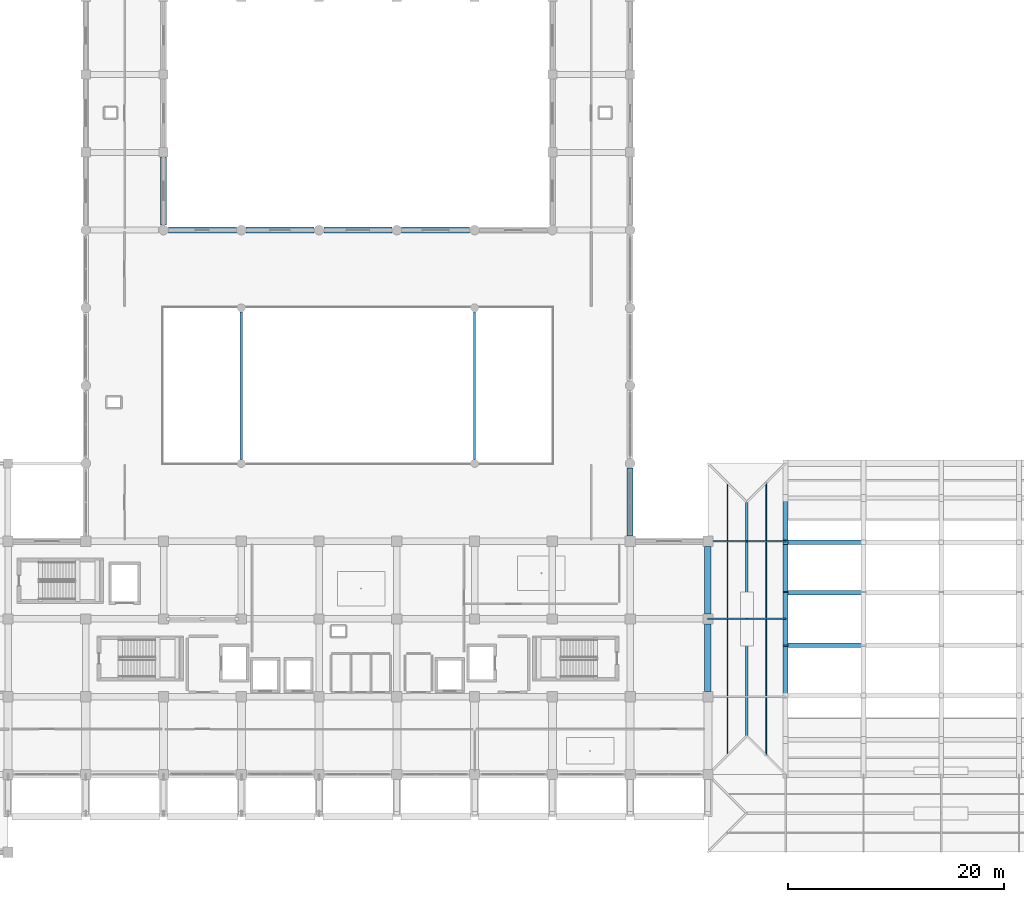
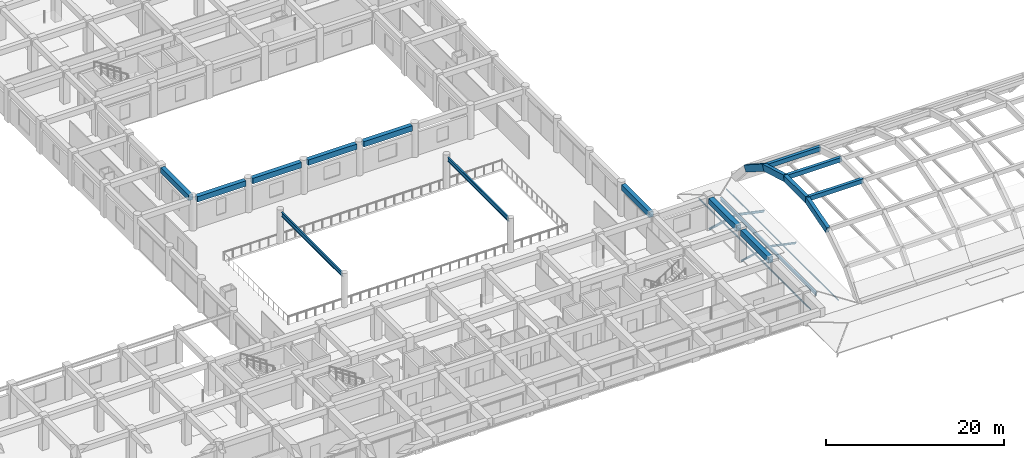
# One storey, part 21 of 54: 18 beams, 6 members.
"""IFC4 building model written with IfcOpenShell, lengths in metres."""

from ifc_helpers import new_model, si_unit, direction, frame, origin, origin_2d, place, context, subcontext, project, spatial, rectangle, hollow_circle, i_section, extrude, material, material_profile, profile_set, type_object, element, save


model = new_model("IFC4")

# Units and contexts
model_context = context("Model", 3, precision=1e-05, world=origin(), true_north=direction((0.0, 1.0)))
body_context = subcontext(model_context, "Body", "Model", "MODEL_VIEW")
ifc_project = project(units=[si_unit("LENGTHUNIT", "METRE"), si_unit("AREAUNIT", "SQUARE_METRE"), si_unit("VOLUMEUNIT", "CUBIC_METRE"), si_unit("PLANEANGLEUNIT", "RADIAN"), si_unit("MASSUNIT", "GRAM", prefix="KILO")], contexts=[model_context])

# Site, building, storey
site_placement = place(None, origin())
site = spatial("IfcSite", under=ifc_project, at=site_placement, CompositionType="ELEMENT")
building_placement = place(site_placement, origin())
building = spatial("IfcBuilding", under=site, at=building_placement, Name="Kazehaya Institute of Natural Sciences", CompositionType="ELEMENT")
storey_placement = place(building_placement, frame((0.0, 0.0, 10.43994140625)))
storey = spatial("IfcBuildingStorey", under=building, at=storey_placement, Name="L02", CompositionType="ELEMENT", Elevation=10.43994140625)

# Beams
ifc_material_1 = material(Name="Concrete Fc36", Category="concrete")
ifc_material_profile_1 = material_profile(ifc_material_1, rectangle(XDim=0.449951171875, YDim=0.85009765625, at=origin_2d()), Name="RC-450x850")
ifc_profile_set_1 = profile_set([ifc_material_profile_1], Name="Concrete Fc36")
beam_type_1 = type_object("IfcBeamType", Name="BM-AR-450x850", PredefinedType="BEAM", material=ifc_profile_set_1)
beam_1_placement = place(storey_placement, frame((126.60009765625, 21.30322265625, 5.837158203125), z_axis=(0.0, 0.960039368494, 0.279864986986), x_axis=(-1.0, 0.0, 0.0)))
element("IfcBeam", 1, at=beam_1_placement, inside=storey, type_object=beam_type_1, Name="SH-VOL1 transverse arch rib SH-VOL1-RIB-126-05", PredefinedType="BEAM", context=body_context, shape_type="SweptSolid", body=[
    extrude(rectangle(XDim=0.449951171875, YDim=0.85009765625, at=origin_2d()), origin(), (0.0, 0.0, 1.0), 4.86083984375),
])
for number, where, z_axis, x_axis, name in (
    (2, (126.60009765625, 25.9697265625, 7.197509765625), (0.0, 1.0, 0.0), (-1.0, 0.0, 0.0), "SH-VOL1 transverse arch rib SH-VOL1-RIB-126-07"),
    (3, (126.60009765625, 30.830322265625, 7.197509765625), (0.0, 0.960035434208, -0.279878482677), (-1.0, 0.0, 0.0), "SH-VOL1 transverse arch rib SH-VOL1-RIB-126-09"),
):
    element("IfcBeam", number, at=place(storey_placement, frame(where, z_axis=z_axis, x_axis=x_axis)), inside=storey, type_object=beam_type_1, Name=name, PredefinedType="BEAM", context=body_context, shape_type="SweptSolid", body=[
        extrude(rectangle(XDim=0.449951171875, YDim=0.85009765625, at=origin_2d()), origin(), (0.0, 0.0, 1.0), 4.860595703125),
    ])
beam_2_placement = place(storey_placement, frame((126.60009765625, 35.49658203125, 5.837158203125), z_axis=(0.0, 0.843309718495, -0.537427873014), x_axis=(-1.0, 0.0, 0.0)))
element("IfcBeam", 4, at=beam_2_placement, inside=storey, type_object=beam_type_1, Name="SH-VOL1 transverse arch rib SH-VOL1-RIB-126-11", PredefinedType="BEAM", context=body_context, shape_type="SweptSolid", body=[
    extrude(rectangle(XDim=0.449951171875, YDim=0.85009765625, at=origin_2d()), origin(), (0.0, 0.0, 1.0), 4.86083984375),
])
ifc_material_profile_2 = material_profile(ifc_material_1, rectangle(XDim=0.39990234375, YDim=0.60009765625, at=origin_2d()), Name="RC-400x600")
ifc_profile_set_2 = profile_set([ifc_material_profile_2], Name="Concrete Fc36")
beam_type_2 = type_object("IfcBeamType", Name="BM-B-400x600", PredefinedType="BEAM", material=ifc_profile_set_2)
for number, where, z_axis, x_axis, name in (
    (5, (126.60009765625, 25.9697265625, 7.3173828125), (1.0, 0.0, 0.0), (0.0, 1.0, 0.0), "SH-VOL1 longitudinal shell rib 6"),
    (6, (126.60009765625, 30.830322265625, 7.3173828125), (1.0, 0.0, 0.0), (0.0, 1.0, 0.0), "SH-VOL1 longitudinal shell rib 8"),
    (7, (126.60009765625, 35.49658203125, 5.95703125), (1.0, 0.0, 0.0), (0.0, 1.0, 0.0), "SH-VOL1 longitudinal shell rib 10"),
):
    element("IfcBeam", number, at=place(storey_placement, frame(where, z_axis=z_axis, x_axis=x_axis)), inside=storey, type_object=beam_type_2, Name=name, PredefinedType="BEAM", context=body_context, shape_type="SweptSolid", body=[
        extrude(rectangle(XDim=0.39990234375, YDim=0.60009765625, at=origin_2d()), origin(), (0.0, 0.0, 1.0), 7.199951171875),
    ])
ifc_material_profile_3 = material_profile(ifc_material_1, rectangle(XDim=0.550048828125, YDim=0.75, at=origin_2d()), Name="RC-550x750")
ifc_profile_set_3 = profile_set([ifc_material_profile_3], Name="Concrete Fc36")
beam_type_3 = type_object("IfcBeamType", Name="BM-G-550x750", PredefinedType="BEAM", material=ifc_profile_set_3)
for number, where, z_axis, x_axis, name in (
    (8, (69.449951171875, 64.39990234375, 4.03515625), (1.0, 0.0, 0.0), (0.0, 1.0, 0.0), "L02 primary X girder BMX-L02-690-644"),
    (9, (76.64990234375, 64.39990234375, 4.03515625), (1.0, 0.0, 0.0), (0.0, 1.0, 0.0), "L02 primary X girder BMX-L02-762-644"),
):
    element("IfcBeam", number, at=place(storey_placement, frame(where, z_axis=z_axis, x_axis=x_axis)), inside=storey, type_object=beam_type_3, Name=name, PredefinedType="BEAM", context=body_context, shape_type="SweptSolid", body=[
        extrude(rectangle(XDim=0.550048828125, YDim=0.75, at=origin_2d()), origin(), (0.0, 0.0, 1.0), 6.300048828125),
    ])
beam_3_placement = place(storey_placement, frame((83.85009765625, 64.39990234375, 4.03515625), z_axis=(1.0, 0.0, 0.0), x_axis=(0.0, 1.0, 0.0)))
element("IfcBeam", 10, at=beam_3_placement, inside=storey, type_object=beam_type_3, Name="L02 primary X girder BMX-L02-834-644", PredefinedType="BEAM", context=body_context, shape_type="SweptSolid", body=[
    extrude(rectangle(XDim=0.550048828125, YDim=0.75, at=origin_2d()), origin(), (0.0, 0.0, 1.0), 6.2998046875),
])
beam_4_placement = place(storey_placement, frame((91.050048828125, 64.39990234375, 4.03515625), z_axis=(1.0, 0.0, 0.0), x_axis=(0.0, 1.0, 0.0)))
element("IfcBeam", 11, at=beam_4_placement, inside=storey, type_object=beam_type_3, Name="L02 primary X girder BMX-L02-906-644", PredefinedType="BEAM", context=body_context, shape_type="SweptSolid", body=[
    extrude(rectangle(XDim=0.550048828125, YDim=0.75, at=origin_2d()), origin(), (0.0, 0.0, 1.0), 6.300048828125),
])
beam_5_placement = place(storey_placement, frame((69.0, 64.85009765625, 4.03515625), z_axis=(0.0, 1.0, 0.0), x_axis=(-1.0, 0.0, 0.0)))
element("IfcBeam", 12, at=beam_5_placement, inside=storey, type_object=beam_type_3, Name="L02 primary Y girder BMY-L02-690-644", PredefinedType="BEAM", context=body_context, shape_type="SweptSolid", body=[
    extrude(rectangle(XDim=0.550048828125, YDim=0.75, at=origin_2d()), origin(), (0.0, 0.0, 1.0), 6.324951171875),
])
beam_6_placement = place(storey_placement, frame((112.199951171875, 36.074951171875, 4.03515625), z_axis=(0.0, 1.0, 0.0), x_axis=(-1.0, 0.0, 0.0)))
element("IfcBeam", 13, at=beam_6_placement, inside=storey, type_object=beam_type_3, Name="L02 primary Y girder BMY-L02-1122-356", PredefinedType="BEAM", context=body_context, shape_type="SweptSolid", body=[
    extrude(rectangle(XDim=0.550048828125, YDim=0.75, at=origin_2d()), origin(), (0.0, 0.0, 1.0), 6.275146484375),
])
ifc_material_profile_4 = material_profile(ifc_material_1, rectangle(XDim=0.60009765625, YDim=0.800048828125, at=origin_2d()), Name="RC-600x800")
ifc_profile_set_4 = profile_set([ifc_material_profile_4], Name="Concrete Fc36")
beam_type_4 = type_object("IfcBeamType", Name="BM-G-600x800", PredefinedType="BEAM", material=ifc_profile_set_4)
for number, where, z_axis, x_axis, name in (
    (14, (119.39990234375, 21.675048828125, 4.010009765625), (0.0, 1.0, 0.0), (-1.0, 0.0, 0.0), "L02 primary Y girder BMY-L02-1194-212"),
    (15, (119.39990234375, 28.875, 4.010009765625), (0.0, 1.0, 0.0), (-1.0, 0.0, 0.0), "L02 primary Y girder BMY-L02-1194-284"),
):
    element("IfcBeam", number, at=place(storey_placement, frame(where, z_axis=z_axis, x_axis=x_axis)), inside=storey, type_object=beam_type_4, Name=name, PredefinedType="BEAM", context=body_context, shape_type="SweptSolid", body=[
        extrude(rectangle(XDim=0.60009765625, YDim=0.800048828125, at=origin_2d()), origin(), (0.0, 0.0, 1.0), 6.25),
    ])
ifc_material_2 = material(Name="Structural steel SN490B", Category="steel")
ifc_material_profile_5 = material_profile(ifc_material_2, i_section(OverallWidth=0.199951171875, OverallDepth=0.449951171875, WebThickness=0.009033203125, FlangeThickness=0.013916015625, FilletRadius=0.01611328125, at=origin_2d()), Name="H-450x200x9x14")
ifc_profile_set_5 = profile_set([ifc_material_profile_5], Name="Structural steel SN490B")
beam_type_5 = type_object("IfcBeamType", Name="BM-STL-H450", PredefinedType="BEAM", material=ifc_profile_set_5)
beam_7_placement = place(storey_placement, frame((123.0, 17.60009765625, 0.51806640625), z_axis=(0.0, 1.0, 0.0), x_axis=(-1.0, 0.0, 0.0)))
element("IfcBeam", 16, at=beam_7_placement, inside=storey, type_object=beam_type_5, Name="ROOF-VOL1-LINK steel ridge girder", PredefinedType="BEAM", context=body_context, shape_type="SweptSolid", body=[
    extrude(i_section(OverallWidth=0.199951171875, OverallDepth=0.449951171875, WebThickness=0.009033203125, FlangeThickness=0.013916015625, FilletRadius=0.01611328125, at=origin_2d()), origin(), (0.0, 0.0, 1.0), 21.599853515625),
])
ifc_material_profile_6 = material_profile(ifc_material_2, i_section(OverallWidth=0.199951171875, OverallDepth=0.60009765625, WebThickness=0.010986328125, FlangeThickness=0.01708984375, FilletRadius=0.01806640625, at=origin_2d()), Name="H-600x200x11x17")
ifc_profile_set_6 = profile_set([ifc_material_profile_6], Name="Structural steel SN490B")
beam_type_6 = type_object("IfcBeamType", Name="BM-STL-H600", PredefinedType="BEAM", material=ifc_profile_set_6)
for number, where, z_axis, x_axis, name in (
    (17, (76.199951171875, 43.175048828125, 4.110107421875), (0.0, 1.0, 0.0), (-1.0, 0.0, 0.0), "L03 atrium gallery walkway girder 1283"),
    (18, (97.800048828125, 43.175048828125, 4.110107421875), (0.0, 1.0, 0.0), (-1.0, 0.0, 0.0), "L03 atrium gallery walkway girder 1284"),
):
    element("IfcBeam", number, at=place(storey_placement, frame(where, z_axis=z_axis, x_axis=x_axis)), inside=storey, type_object=beam_type_6, Name=name, PredefinedType="BEAM", context=body_context, shape_type="SweptSolid", body=[
        extrude(i_section(OverallWidth=0.199951171875, OverallDepth=0.60009765625, WebThickness=0.010986328125, FlangeThickness=0.01708984375, FilletRadius=0.01806640625, at=origin_2d()), origin(), (0.0, 0.0, 1.0), 13.64990234375),
    ])

# Members
ifc_material_profile_7 = material_profile(ifc_material_2, hollow_circle(Radius=0.08251953125, WallThickness=0.006103515625, at=origin_2d()), Name="CHS-165.2x6.0")
ifc_profile_set_7 = profile_set([ifc_material_profile_7], Name="Structural steel SN490B")
member_type_1 = type_object("IfcMemberType", Name="MEM-PUR-CHS165", PredefinedType="PURLIN", material=ifc_profile_set_7)
member_1_placement = place(storey_placement, frame((124.800048828125, 15.800048828125, 0.129150390625), z_axis=(0.0, 1.0, 0.0), x_axis=(-1.0, 0.0, 0.0)))
element("IfcMember", 19, at=member_1_placement, inside=storey, type_object=member_type_1, Name="ROOF-VOL1-LINK roof purlin 6", PredefinedType="PURLIN", context=body_context, shape_type="SweptSolid", body=[
    extrude(hollow_circle(Radius=0.08251953125, WallThickness=0.006103515625, at=origin_2d()), origin(), (0.0, 0.0, 1.0), 25.199951171875),
])
ifc_material_profile_8 = material_profile(ifc_material_2, i_section(OverallWidth=0.10009765625, OverallDepth=0.199951171875, WebThickness=0.005615234375, FlangeThickness=0.008056640625, FilletRadius=0.008056640625, at=origin_2d()), Name="H-200x100x5.5x8")
ifc_profile_set_8 = profile_set([ifc_material_profile_8], Name="Structural steel SN490B")
member_type_2 = type_object("IfcMemberType", Name="MEM-PUR-H200", PredefinedType="PURLIN", material=ifc_profile_set_8)
member_2_placement = place(storey_placement, frame((121.199951171875, 15.800048828125, 0.129150390625), z_axis=(0.0, 1.0, 0.0), x_axis=(-1.0, 0.0, 0.0)))
element("IfcMember", 20, at=member_2_placement, inside=storey, type_object=member_type_2, Name="ROOF-VOL1-LINK roof purlin 5", PredefinedType="PURLIN", context=body_context, shape_type="SweptSolid", body=[
    extrude(i_section(OverallWidth=0.10009765625, OverallDepth=0.199951171875, WebThickness=0.005615234375, FlangeThickness=0.008056640625, FilletRadius=0.008056640625, at=origin_2d()), origin(), (0.0, 0.0, 1.0), 25.199951171875),
])
ifc_material_profile_9 = material_profile(ifc_material_2, i_section(OverallWidth=0.125, OverallDepth=0.25, WebThickness=0.006103515625, FlangeThickness=0.009033203125, FilletRadius=0.010009765625, at=origin_2d()), Name="H-250x125x6x9")
ifc_profile_set_9 = profile_set([ifc_material_profile_9], Name="Structural steel SN490B")
member_type_3 = type_object("IfcMemberType", Name="MEM-RAF-H250", PredefinedType="RAFTER", material=ifc_profile_set_9)
for number, where, z_axis, x_axis, name in (
    (21, (119.39990234375, 28.39990234375, -0.25), (0.977990310214, 0.0, 0.20865031303), (0.0, 1.0, 0.0), "ROOF-VOL1-LINK roof truss rafter 33"),
    (22, (126.60009765625, 28.39990234375, -0.25), (-0.977990310214, 0.0, 0.20865031303), (0.0, -1.0, 0.0), "ROOF-VOL1-LINK roof truss rafter 34"),
):
    element("IfcMember", number, at=place(storey_placement, frame(where, z_axis=z_axis, x_axis=x_axis)), inside=storey, type_object=member_type_3, Name=name, PredefinedType="RAFTER", context=body_context, shape_type="SweptSolid", body=[
        extrude(i_section(OverallWidth=0.125, OverallDepth=0.25, WebThickness=0.006103515625, FlangeThickness=0.009033203125, FilletRadius=0.010009765625, at=origin_2d()), origin(), (0.0, 0.0, 1.0), 3.68115234375),
    ])
ifc_material_profile_10 = material_profile(ifc_material_2, i_section(OverallWidth=0.14990234375, OverallDepth=0.300048828125, WebThickness=0.006591796875, FlangeThickness=0.009033203125, FilletRadius=0.012939453125, at=origin_2d()), Name="H-300x150x6.5x9")
ifc_profile_set_10 = profile_set([ifc_material_profile_10], Name="Structural steel SN490B")
member_type_4 = type_object("IfcMemberType", Name="MEM-RAF-H300", PredefinedType="RAFTER", material=ifc_profile_set_10)
for number, where, z_axis, x_axis, name in (
    (23, (119.39990234375, 35.60009765625, -0.25), (0.977990310214, 0.0, 0.20865031303), (0.0, 1.0, 0.0), "ROOF-VOL1-LINK roof truss rafter 35"),
    (24, (126.60009765625, 35.60009765625, -0.25), (-0.977990310214, 0.0, 0.20865031303), (0.0, -1.0, 0.0), "ROOF-VOL1-LINK roof truss rafter 36"),
):
    element("IfcMember", number, at=place(storey_placement, frame(where, z_axis=z_axis, x_axis=x_axis)), inside=storey, type_object=member_type_4, Name=name, PredefinedType="RAFTER", context=body_context, shape_type="SweptSolid", body=[
        extrude(i_section(OverallWidth=0.14990234375, OverallDepth=0.300048828125, WebThickness=0.006591796875, FlangeThickness=0.009033203125, FilletRadius=0.012939453125, at=origin_2d()), origin(), (0.0, 0.0, 1.0), 3.68115234375),
    ])

save(model, "model.ifc")
